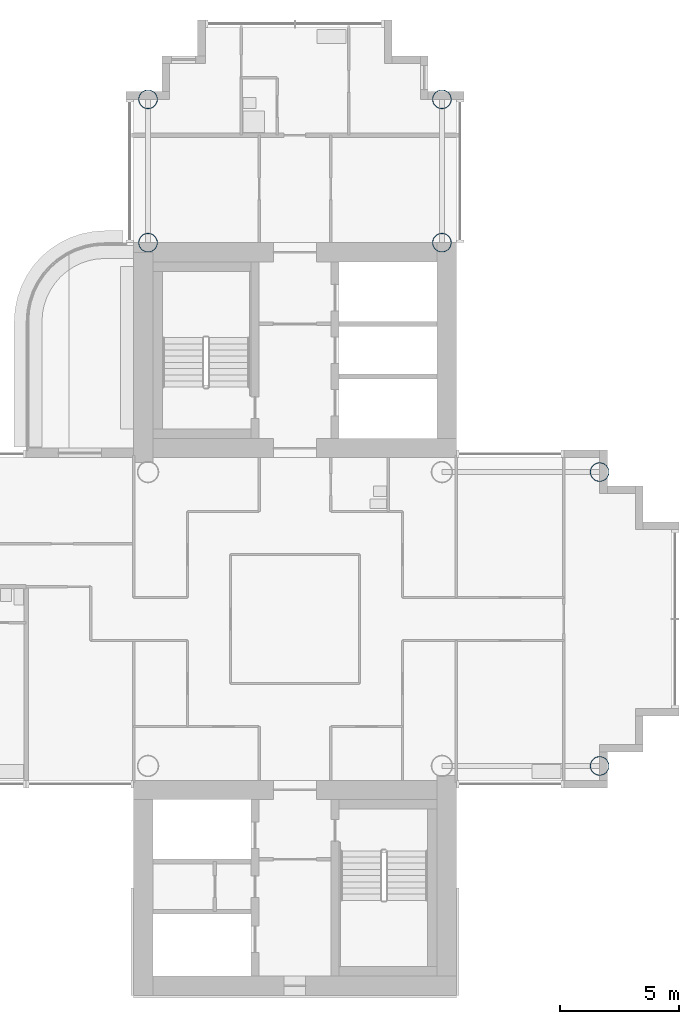
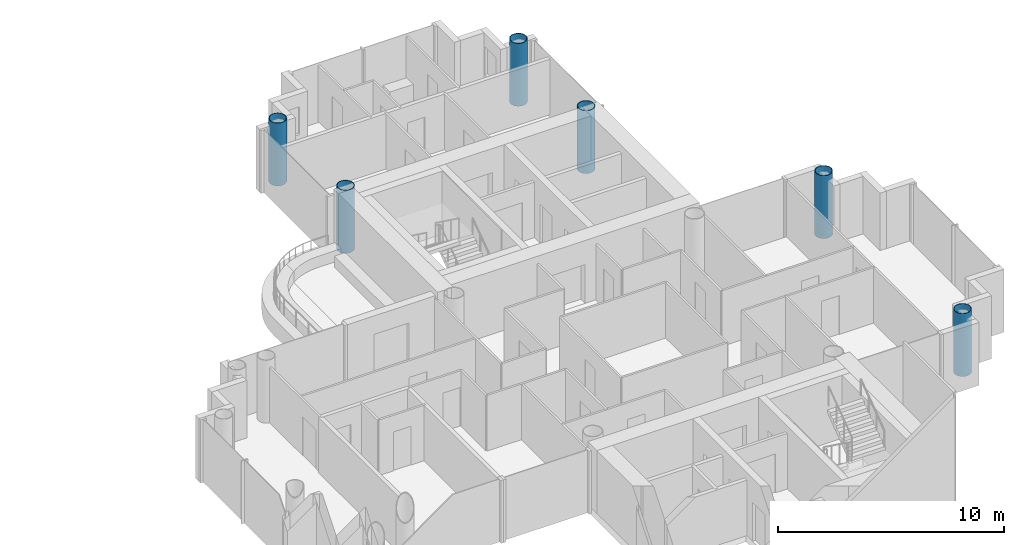
# One storey, part 2 of 19: 6 columns.
"""IFC4 building model written with IfcOpenShell, lengths in metres."""

from ifc_helpers import new_model, si_unit, direction, frame, origin, origin_2d, place, context, subcontext, project, spatial, hollow_circle, extrude, material, material_profile, profile_set, type_object, element, save


model = new_model("IFC4")

# Units and contexts
model_context = context("Model", 3, precision=1e-05, world=origin(), true_north=direction((0.0, 1.0)))
body_context = subcontext(model_context, "Body", "Model", "MODEL_VIEW")
ifc_project = project(units=[si_unit("LENGTHUNIT", "METRE"), si_unit("AREAUNIT", "SQUARE_METRE"), si_unit("VOLUMEUNIT", "CUBIC_METRE"), si_unit("PLANEANGLEUNIT", "RADIAN"), si_unit("MASSUNIT", "GRAM", prefix="KILO")], contexts=[model_context])

# Site, building, storey
site_placement = place(None, origin())
site = spatial("IfcSite", under=ifc_project, at=site_placement, CompositionType="ELEMENT")
building_placement = place(site_placement, origin())
building = spatial("IfcBuilding", under=site, at=building_placement, Name="Ipe Terrace Towers", CompositionType="ELEMENT")
storey_placement = place(building_placement, frame((0.0, 0.0, 140.5)))
storey = spatial("IfcBuildingStorey", under=building, at=storey_placement, Name="L38", CompositionType="ELEMENT", Elevation=140.5)

# Columns
ifc_material = material(Name="Steel S355 tube with Concrete C60/75 fill", Category="concrete")
ifc_material_profile = material_profile(ifc_material, hollow_circle(Radius=0.39990234375, WallThickness=0.028076171875, at=origin_2d()), Name="CHS-800x28")
ifc_profile_set = profile_set([ifc_material_profile], Name="Steel S355 tube with Concrete C60/75 fill")
column_type = type_object("IfcColumnType", Name="CH09 COLUMN CHS-800x28", PredefinedType="COLUMN", material=ifc_profile_set)
for number, where, z_axis, x_axis, name in (
    (1, (42.14990234375, 15.75, 0.0), (0.0, 0.0, 1.0), (1.0, 0.0, 0.0), "Column T2-C-A01"),
    (2, (29.85009765625, 15.75, 0.0), (0.0, 0.0, 1.0), (1.0, 0.0, 0.0), "Column T2-C-A02"),
    (3, (42.14990234375, 21.75, 0.0), (0.0, 0.0, 1.0), (1.0, 0.0, 0.0), "Column T2-C-A03"),
    (4, (29.85009765625, 21.75, 0.0), (0.0, 0.0, 1.0), (1.0, 0.0, 0.0), "Column T2-C-A04"),
    (5, (48.75, -6.14990234375, 0.0), (0.0, 0.0, 1.0), (1.0, 0.0, 0.0), "Column T2-C-D01"),
    (6, (48.75, 6.14990234375, 0.0), (0.0, 0.0, 1.0), (1.0, 0.0, 0.0), "Column T2-C-D02"),
):
    element("IfcColumn", number, at=place(storey_placement, frame(where, z_axis=z_axis, x_axis=x_axis)), inside=storey, type_object=column_type, Name=name, PredefinedType="COLUMN", context=body_context, shape_type="SweptSolid", body=[
        extrude(hollow_circle(Radius=0.39990234375, WallThickness=0.028076171875, at=origin_2d()), origin(), (0.0, 0.0, 1.0), 3.39990234375),
    ])

save(model, "model.ifc")
